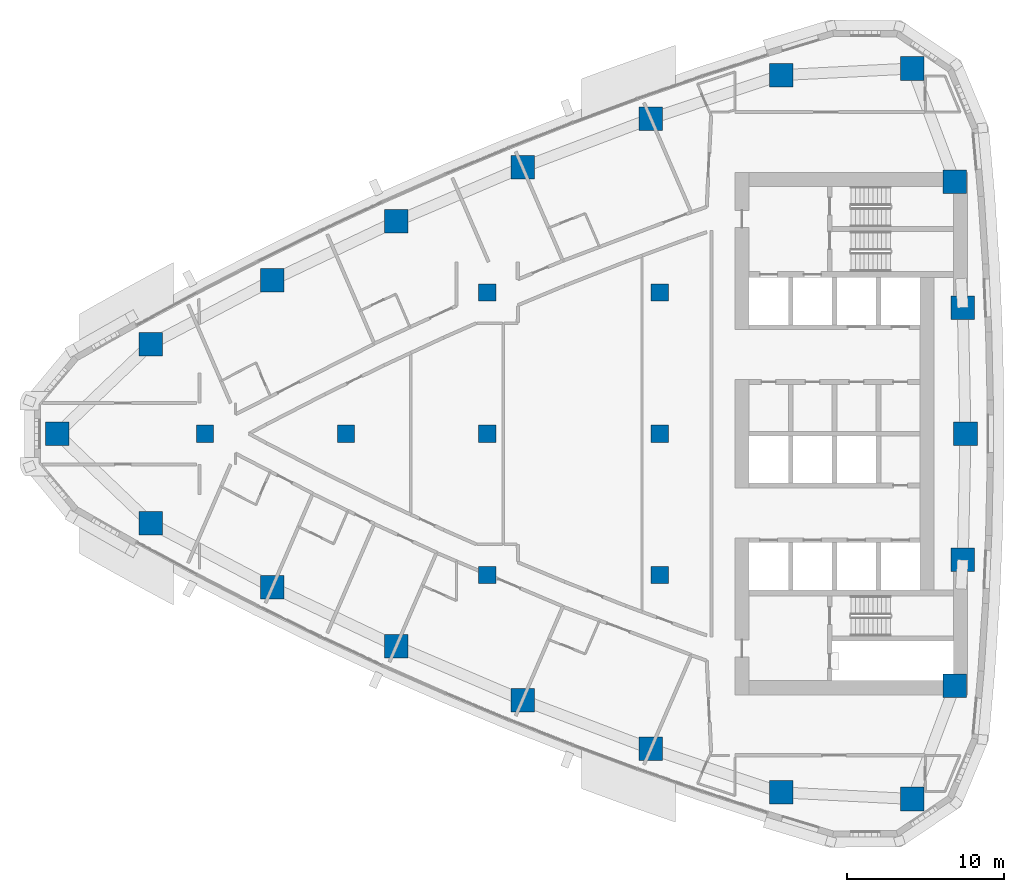
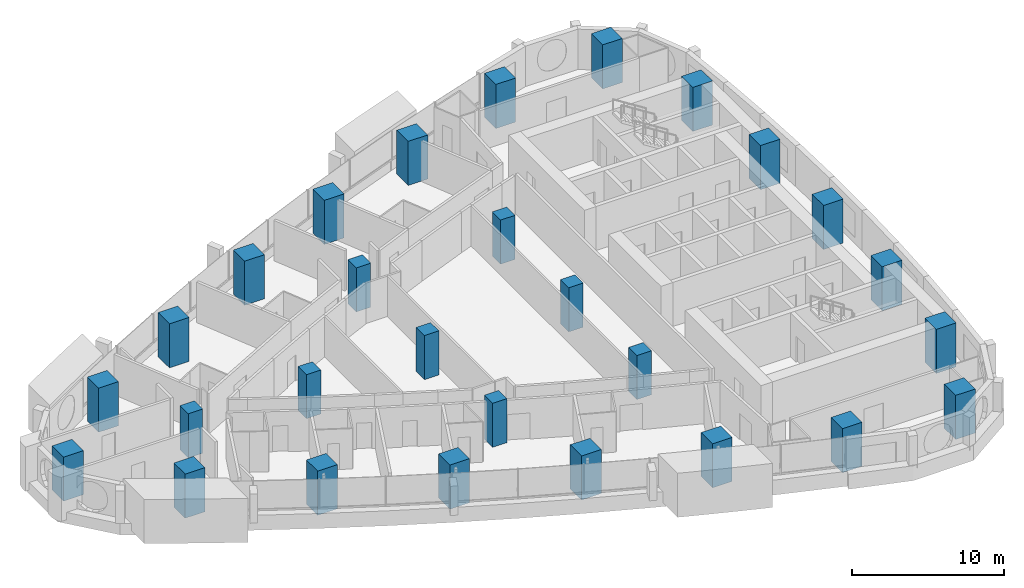
# One storey, part 1 of 17: 28 columns.
"""IFC4 building model written with IfcOpenShell, lengths in metres."""

from ifc_helpers import new_model, si_unit, direction, frame, origin, origin_2d, place, context, subcontext, project, spatial, rectangle, extrude, material, material_profile, profile_set, type_object, element, save


model = new_model("IFC4")

# Units and contexts
model_context = context("Model", 3, precision=1e-05, world=origin(), true_north=direction((0.0, 1.0)))
body_context = subcontext(model_context, "Body", "Model", "MODEL_VIEW")
ifc_project = project(units=[si_unit("LENGTHUNIT", "METRE"), si_unit("AREAUNIT", "SQUARE_METRE"), si_unit("VOLUMEUNIT", "CUBIC_METRE"), si_unit("PLANEANGLEUNIT", "RADIAN"), si_unit("MASSUNIT", "GRAM", prefix="KILO")], contexts=[model_context])

# Site, building, storey
site_placement = place(None, origin())
site = spatial("IfcSite", under=ifc_project, at=site_placement, CompositionType="ELEMENT")
building_placement = place(site_placement, origin())
building = spatial("IfcBuilding", under=site, at=building_placement, Name="Ostrand Prow Hotel Tower", CompositionType="ELEMENT")
storey_placement = place(building_placement, frame((0.0, 0.0, 155.050048828125)))
storey = spatial("IfcBuildingStorey", under=building, at=storey_placement, Name="L38", CompositionType="ELEMENT", Elevation=155.050048828125)

# Columns
ifc_material_1 = material(Name="Concrete C70/85", Category="concrete")
ifc_material_profile_1 = material_profile(ifc_material_1, rectangle(XDim=1.10009765625, YDim=1.10009765625, at=origin_2d()), Name="RC 1100x1100")
ifc_profile_set_1 = profile_set([ifc_material_profile_1], Name="Concrete C70/85")
column_type_1 = type_object("IfcColumnType", Name="Interior column 1100x1100 C70/85", PredefinedType="COLUMN", material=ifc_profile_set_1)
for number, where, z_axis, x_axis, name in (
    (1, (16.0, 0.0, 0.0), (0.0, 0.0, 1.0), (1.0, 0.0, 0.0), "Interior column 16C0"),
    (2, (25.0, 0.0, 0.0), (0.0, 0.0, 1.0), (1.0, 0.0, 0.0), "Interior column 25C0"),
    (3, (34.0, -9.0, 0.0), (0.0, 0.0, 1.0), (1.0, 0.0, 0.0), "Interior column 34S9"),
    (4, (34.0, 0.0, 0.0), (0.0, 0.0, 1.0), (1.0, 0.0, 0.0), "Interior column 34C0"),
    (5, (34.0, 9.0, 0.0), (0.0, 0.0, 1.0), (1.0, 0.0, 0.0), "Interior column 34N9"),
    (6, (45.0, -9.0, 0.0), (0.0, 0.0, 1.0), (1.0, 0.0, 0.0), "Interior column 45S9"),
    (7, (45.0, 0.0, 0.0), (0.0, 0.0, 1.0), (1.0, 0.0, 0.0), "Interior column 45C0"),
    (8, (45.0, 9.0, 0.0), (0.0, 0.0, 1.0), (1.0, 0.0, 0.0), "Interior column 45N9"),
):
    element("IfcColumn", number, at=place(storey_placement, frame(where, z_axis=z_axis, x_axis=x_axis)), inside=storey, type_object=column_type_1, Name=name, PredefinedType="COLUMN", context=body_context, shape_type="SweptSolid", body=[
        extrude(rectangle(XDim=1.10009765625, YDim=1.10009765625, at=origin_2d()), origin(), (0.0, 0.0, 1.0), 3.550048828125),
    ])
ifc_material_2 = material(Name="Concrete C70/85", Category="concrete")
ifc_material_profile_2 = material_profile(ifc_material_2, rectangle(XDim=1.5, YDim=1.5, at=origin_2d()), Name="RC 1500x1500")
ifc_profile_set_2 = profile_set([ifc_material_profile_2], Name="Concrete C70/85")
column_type_2 = type_object("IfcColumnType", Name="Stone-faced mega column 1500x1500 C70/85", PredefinedType="COLUMN", material=ifc_profile_set_2)
for number, where, z_axis, x_axis, name in (
    (9, (6.580078125, 0.0, 0.0), (0.0, 0.0, 1.0), (1.0, 0.0, 0.0), "Mega column P"),
    (10, (12.55322265625, -5.712646484375, 0.0), (0.0, 0.0, 1.0), (1.0, 0.0, 0.0), "Mega column S1"),
    (11, (20.300048828125, -9.787841796875, 0.0), (0.0, 0.0, 1.0), (1.0, 0.0, 0.0), "Mega column S2"),
    (12, (28.205078125, -13.547119140625, 0.0), (0.0, 0.0, 1.0), (1.0, 0.0, 0.0), "Mega column S3"),
    (13, (36.255615234375, -16.98388671875, 0.0), (0.0, 0.0, 1.0), (1.0, 0.0, 0.0), "Mega column S4"),
    (14, (44.438232421875, -20.093017578125, 0.0), (0.0, 0.0, 1.0), (1.0, 0.0, 0.0), "Mega column S5"),
    (15, (52.73974609375, -22.869140625, 0.0), (0.0, 0.0, 1.0), (1.0, 0.0, 0.0), "Mega column S6"),
    (16, (61.117431640625, -23.29052734375, 0.0), (0.0, 0.0, 1.0), (1.0, 0.0, 0.0), "Mega column SE"),
    (17, (63.818603515625, -16.074951171875, 0.0), (0.0, 0.0, 1.0), (1.0, 0.0, 0.0), "Mega column B1"),
    (18, (64.32958984375, -8.044677734375, 0.0), (0.0, 0.0, 1.0), (1.0, 0.0, 0.0), "Mega column B2"),
    (19, (64.5, 0.0, 0.0), (0.0, 0.0, 1.0), (1.0, 0.0, 0.0), "Mega column B3"),
    (20, (64.32958984375, 8.044677734375, 0.0), (0.0, 0.0, 1.0), (1.0, 0.0, 0.0), "Mega column B4"),
    (21, (63.818603515625, 16.074951171875, 0.0), (0.0, 0.0, 1.0), (1.0, 0.0, 0.0), "Mega column B5"),
    (22, (61.117431640625, 23.29052734375, 0.0), (0.0, 0.0, 1.0), (1.0, 0.0, 0.0), "Mega column NE"),
    (23, (52.73974609375, 22.869140625, 0.0), (0.0, 0.0, 1.0), (1.0, 0.0, 0.0), "Mega column N1"),
    (24, (44.438232421875, 20.093017578125, 0.0), (0.0, 0.0, 1.0), (1.0, 0.0, 0.0), "Mega column N2"),
    (25, (36.255615234375, 16.98388671875, 0.0), (0.0, 0.0, 1.0), (1.0, 0.0, 0.0), "Mega column N3"),
    (26, (28.205078125, 13.547119140625, 0.0), (0.0, 0.0, 1.0), (1.0, 0.0, 0.0), "Mega column N4"),
    (27, (20.300048828125, 9.787841796875, 0.0), (0.0, 0.0, 1.0), (1.0, 0.0, 0.0), "Mega column N5"),
    (28, (12.55322265625, 5.712646484375, 0.0), (0.0, 0.0, 1.0), (1.0, 0.0, 0.0), "Mega column N6"),
):
    element("IfcColumn", number, at=place(storey_placement, frame(where, z_axis=z_axis, x_axis=x_axis)), inside=storey, type_object=column_type_2, Name=name, PredefinedType="COLUMN", context=body_context, shape_type="SweptSolid", body=[
        extrude(rectangle(XDim=1.5, YDim=1.5, at=origin_2d()), origin(), (0.0, 0.0, 1.0), 3.550048828125),
    ])

save(model, "model.ifc")
